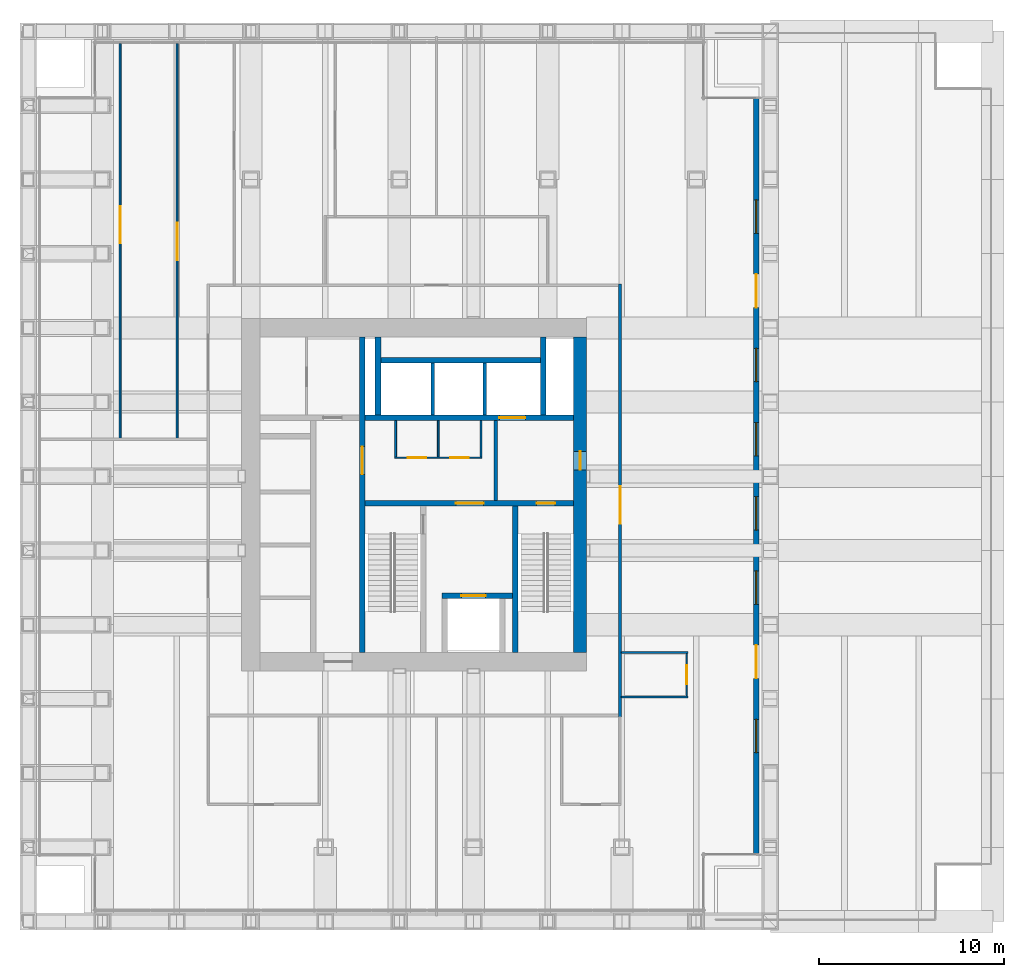
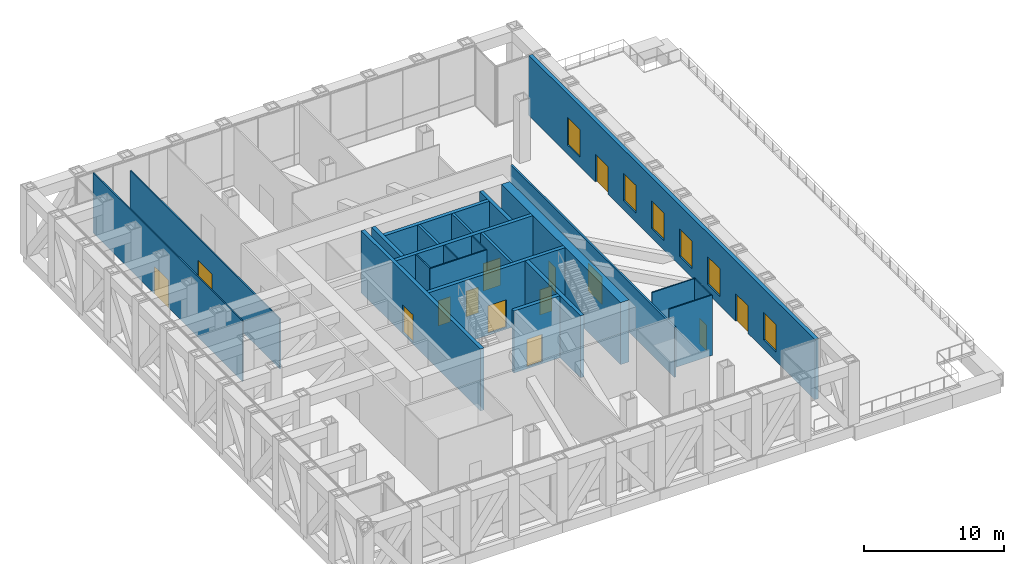
# One storey, part 11 of 13: 23 walls, 14 doors, 6 windows, 20 openings.
"""IFC4 building model written with IfcOpenShell, lengths in metres."""

from ifc_helpers import new_model, si_unit, direction, frame, frame_2d, origin, place, context, subcontext, project, spatial, rectangle, extrude, material, layer, layer_set, type_object, element, fill, save


model = new_model("IFC4")

# Units and contexts
model_context = context("Model", 3, precision=1e-05, world=origin(), true_north=direction((0.0, 1.0)))
body_context = subcontext(model_context, "Body", "Model", "MODEL_VIEW")
ifc_project = project(units=[si_unit("LENGTHUNIT", "METRE"), si_unit("AREAUNIT", "SQUARE_METRE"), si_unit("VOLUMEUNIT", "CUBIC_METRE"), si_unit("PLANEANGLEUNIT", "RADIAN"), si_unit("MASSUNIT", "GRAM", prefix="KILO")], contexts=[model_context])

# Site, building, storey
site_placement = place(None, origin())
site = spatial("IfcSite", under=ifc_project, at=site_placement, CompositionType="ELEMENT")
building_placement = place(site_placement, origin())
building = spatial("IfcBuilding", under=site, at=building_placement, Name="Rimbunsela Tower", CompositionType="ELEMENT")
storey_placement = place(building_placement, frame((0.0, 0.0, 137.39990234375)))
storey = spatial("IfcBuildingStorey", under=building, at=storey_placement, Name="L33", CompositionType="ELEMENT", Elevation=137.39990234375)

# Wall, opening, door
ifc_material_1 = material(Name="Concrete fc' 80 MPa", Category="concrete")
ifc_layer_1 = layer(ifc_material_1, 0.300048828125)
ifc_layer_set_1 = layer_set([ifc_layer_1], Name="Core internal wall 300")
wall_type_1 = type_object("IfcWallType", Name="Core internal wall 300", PredefinedType="SHEAR", material=ifc_layer_set_1)
wall_1_placement = place(storey_placement, frame((24.0, 18.5, -0.14990234375), z_axis=(0.0, 0.0, 1.0), x_axis=(0.0, 1.0, 0.0)))
wall_1 = element("IfcWall", 1, at=wall_1_placement, inside=storey, type_object=wall_type_1, Name="Core wall at stair A", PredefinedType="SHEAR", context=body_context, shape_type="SweptSolid", body=[
    extrude(rectangle(XDim=17.0, YDim=0.300048828125, at=frame_2d((8.5, 0.0))), origin(), (0.0, 0.0, 1.0), 5.39990234375),
])
opening_1_placement = place(wall_1_placement, frame((9.60009765625, 0.0, 0.14990234375)))
opening_1 = element("IfcOpeningElement", 2, at=opening_1_placement, cuts=wall_1, Name="Opening D03", PredefinedType="OPENING", context=body_context, shape_type="SweptSolid", body=[
    extrude(rectangle(XDim=1.5, YDim=2.39990234375, at=frame_2d((0.75, 1.199951171875))), frame((0.0, 0.159912109375, 0.0), z_axis=(0.0, -1.0, 0.0), x_axis=(1.0, 0.0, 0.0)), (0.0, 0.0, 1.0), 0.320068359375),
])
ifc_material_2 = material(Name="Steel door, fire rated", Category="steel")
door_type_1 = type_object("IfcDoorType", Name="Core lobby door 1500", OperationType="DOUBLE_DOOR_DOUBLE_SWING", PredefinedType="DOOR", material=ifc_material_2)
door_1_placement = place(opening_1_placement, origin())
door_1 = element("IfcDoor", 3, at=door_1_placement, inside=storey, type_object=door_type_1, Name="West lobby door", OperationType="DOUBLE_DOOR_DOUBLE_SWING", OverallHeight=2.39990234375, OverallWidth=1.5, PredefinedType="DOOR", context=body_context, shape_type="SweptSolid", body=[
    extrude(rectangle(XDim=1.5, YDim=2.39990234375, at=frame_2d((0.75, 1.199951171875))), frame((0.0, 0.02490234375, 0.0), z_axis=(0.0, -1.0, 0.0), x_axis=(1.0, 0.0, 0.0)), (0.0, 0.0, 1.0), 0.050048828125),
])
fill(opening_1, door_1)

# Wall, openings, doors
wall_2_placement = place(storey_placement, frame((24.14990234375, 26.550048828125, -0.14990234375), z_axis=(0.0, 0.0, 1.0), x_axis=(1.0, 0.0, 0.0)))
wall_2 = element("IfcWall", 4, at=wall_2_placement, inside=storey, type_object=wall_type_1, Name="Core wall lobby south", PredefinedType="SHEAR", context=body_context, shape_type="SweptSolid", body=[
    extrude(rectangle(XDim=11.25, YDim=0.300048828125, at=frame_2d((5.625, 0.0))), origin(), (0.0, 0.0, 1.0), 5.39990234375),
])
opening_2_placement = place(wall_2_placement, frame((9.25, 0.0, 0.14990234375)))
opening_2 = element("IfcOpeningElement", 5, at=opening_2_placement, cuts=wall_2, Name="Opening D01", PredefinedType="OPENING", context=body_context, shape_type="SweptSolid", body=[
    extrude(rectangle(XDim=1.0, YDim=2.199951171875, at=frame_2d((0.5, 1.10009765625))), frame((0.0, 0.159912109375, 0.0), z_axis=(0.0, -1.0, 0.0), x_axis=(1.0, 0.0, 0.0)), (0.0, 0.0, 1.0), 0.320068359375),
])
opening_3_placement = place(wall_2_placement, frame((4.89990234375, 0.0, 0.14990234375)))
opening_3 = element("IfcOpeningElement", 6, at=opening_3_placement, cuts=wall_2, Name="Opening D03", PredefinedType="OPENING", context=body_context, shape_type="SweptSolid", body=[
    extrude(rectangle(XDim=1.5, YDim=2.39990234375, at=frame_2d((0.75, 1.199951171875))), frame((0.0, 0.159912109375, 0.0), z_axis=(0.0, -1.0, 0.0), x_axis=(1.0, 0.0, 0.0)), (0.0, 0.0, 1.0), 0.320068359375),
])
door_2_placement = place(opening_3_placement, origin())
door_2 = element("IfcDoor", 7, at=door_2_placement, inside=storey, type_object=door_type_1, Name="Firefighting lobby door", OperationType="DOUBLE_DOOR_DOUBLE_SWING", OverallHeight=2.39990234375, OverallWidth=1.5, PredefinedType="DOOR", context=body_context, shape_type="SweptSolid", body=[
    extrude(rectangle(XDim=1.5, YDim=2.39990234375, at=frame_2d((0.75, 1.199951171875))), frame((0.0, 0.02490234375, 0.0), z_axis=(0.0, -1.0, 0.0), x_axis=(1.0, 0.0, 0.0)), (0.0, 0.0, 1.0), 0.050048828125),
])
fill(opening_3, door_2)
ifc_material_3 = material(Name="Steel door, fire rated", Category="steel")
door_type_2 = type_object("IfcDoorType", Name="Stair door 1000", OperationType="SINGLE_SWING_RIGHT", PredefinedType="DOOR", material=ifc_material_3)
door_3_placement = place(opening_2_placement, frame((1.0, 0.0, 0.0), z_axis=(0.0, 0.0, 1.0), x_axis=(-1.0, 0.0, 0.0)))
door_3 = element("IfcDoor", 8, at=door_3_placement, inside=storey, type_object=door_type_2, Name="Stair B door", OperationType="SINGLE_SWING_RIGHT", OverallHeight=2.199951171875, OverallWidth=1.0, PredefinedType="DOOR", context=body_context, shape_type="SweptSolid", body=[
    extrude(rectangle(XDim=1.0, YDim=2.199951171875, at=frame_2d((0.5, 1.10009765625))), frame((0.0, 0.02490234375, 0.0), z_axis=(0.0, -1.0, 0.0), x_axis=(1.0, 0.0, 0.0)), (0.0, 0.0, 1.0), 0.050048828125),
])
fill(opening_2, door_3)

# Wall
wall_3_placement = place(storey_placement, frame((32.25, 18.5, -0.14990234375), z_axis=(0.0, 0.0, 1.0), x_axis=(0.0, 1.0, 0.0)))
element("IfcWall", 9, at=wall_3_placement, inside=storey, type_object=wall_type_1, Name="Stair B enclosure", PredefinedType="SHEAR", context=body_context, shape_type="SweptSolid", body=[
    extrude(rectangle(XDim=7.89990234375, YDim=0.300048828125, at=frame_2d((3.949951171875, 0.0))), origin(), (0.0, 0.0, 1.0), 5.39990234375),
])

# Wall, opening, door
wall_4_placement = place(storey_placement, frame((28.300048828125, 21.550048828125, -0.14990234375), z_axis=(0.0, 0.0, 1.0), x_axis=(1.0, 0.0, 0.0)))
wall_4 = element("IfcWall", 10, at=wall_4_placement, inside=storey, type_object=wall_type_1, Name="Firefighting lift shaft front", PredefinedType="SHEAR", context=body_context, shape_type="SweptSolid", body=[
    extrude(rectangle(XDim=3.800048828125, YDim=0.300048828125, at=frame_2d((1.89990234375, 0.0))), origin(), (0.0, 0.0, 1.0), 5.39990234375),
])
opening_4_placement = place(wall_4_placement, frame((1.050048828125, 0.0, 0.14990234375)))
opening_4 = element("IfcOpeningElement", 11, at=opening_4_placement, cuts=wall_4, Name="Opening LD2", PredefinedType="OPENING", context=body_context, shape_type="SweptSolid", body=[
    extrude(rectangle(XDim=1.300048828125, YDim=2.39990234375, at=frame_2d((0.64990234375, 1.199951171875))), frame((0.0, 0.159912109375, 0.0), z_axis=(0.0, -1.0, 0.0), x_axis=(1.0, 0.0, 0.0)), (0.0, 0.0, 1.0), 0.320068359375),
])
ifc_material_4 = material(Name="Steel door, fire rated", Category="steel")
door_type_3 = type_object("IfcDoorType", Name="Lift landing door 1300", OperationType="DOUBLE_DOOR_SLIDING", PredefinedType="DOOR", material=ifc_material_4)
door_4_placement = place(opening_4_placement, origin())
door_4 = element("IfcDoor", 12, at=door_4_placement, inside=storey, type_object=door_type_3, Name="Lift landing door FL1", OperationType="DOUBLE_DOOR_SLIDING", OverallHeight=2.39990234375, OverallWidth=1.300048828125, PredefinedType="DOOR", context=body_context, shape_type="SweptSolid", body=[
    extrude(rectangle(XDim=1.300048828125, YDim=2.39990234375, at=frame_2d((0.64990234375, 1.199951171875))), frame((0.0, 0.02490234375, 0.0), z_axis=(0.0, -1.0, 0.0), x_axis=(1.0, 0.0, 0.0)), (0.0, 0.0, 1.0), 0.050048828125),
])
fill(opening_4, door_4)

wall_5_placement = place(storey_placement, frame((24.14990234375, 31.14990234375, -0.14990234375), z_axis=(0.0, 0.0, 1.0), x_axis=(1.0, 0.0, 0.0)))
wall_5 = element("IfcWall", 13, at=wall_5_placement, inside=storey, type_object=wall_type_1, Name="Lift shaft front north", PredefinedType="SHEAR", context=body_context, shape_type="SweptSolid", body=[
    extrude(rectangle(XDim=11.25, YDim=0.300048828125, at=frame_2d((5.625, 0.0))), origin(), (0.0, 0.0, 1.0), 5.39990234375),
])
opening_5_placement = place(wall_5_placement, frame((7.25, 0.0, 0.14990234375)))
opening_5 = element("IfcOpeningElement", 14, at=opening_5_placement, cuts=wall_5, Name="Opening LD3", PredefinedType="OPENING", context=body_context, shape_type="SweptSolid", body=[
    extrude(rectangle(XDim=1.39990234375, YDim=2.39990234375, at=frame_2d((0.699951171875, 1.199951171875))), frame((0.0, 0.159912109375, 0.0), z_axis=(0.0, -1.0, 0.0), x_axis=(1.0, 0.0, 0.0)), (0.0, 0.0, 1.0), 0.320068359375),
])
ifc_material_5 = material(Name="Steel door, fire rated", Category="steel")
door_type_4 = type_object("IfcDoorType", Name="Lift landing door 1400", OperationType="DOUBLE_DOOR_SLIDING", PredefinedType="DOOR", material=ifc_material_5)
door_5_placement = place(opening_5_placement, origin())
door_5 = element("IfcDoor", 15, at=door_5_placement, inside=storey, type_object=door_type_4, Name="Lift landing door FL2", OperationType="DOUBLE_DOOR_SLIDING", OverallHeight=2.39990234375, OverallWidth=1.39990234375, PredefinedType="DOOR", context=body_context, shape_type="SweptSolid", body=[
    extrude(rectangle(XDim=1.39990234375, YDim=2.39990234375, at=frame_2d((0.699951171875, 1.199951171875))), frame((0.0, 0.02490234375, 0.0), z_axis=(0.0, -1.0, 0.0), x_axis=(1.0, 0.0, 0.0)), (0.0, 0.0, 1.0), 0.050048828125),
])
fill(opening_5, door_5)

# Walls
for number, where, z_axis, x_axis, name in (
    (16, (24.85009765625, 31.300048828125, -0.14990234375), (0.0, 0.0, 1.0), (0.0, 1.0, 0.0), "Riser wall"),
    (17, (33.75, 31.300048828125, -0.14990234375), (0.0, 0.0, 1.0), (0.0, 1.0, 0.0), "Riser wall"),
):
    element("IfcWall", number, at=place(storey_placement, frame(where, z_axis=z_axis, x_axis=x_axis)), inside=storey, type_object=wall_type_1, Name=name, PredefinedType="SHEAR", context=body_context, shape_type="SweptSolid", body=[
        extrude(rectangle(XDim=4.199951171875, YDim=0.300048828125, at=frame_2d((2.10009765625, 0.0))), origin(), (0.0, 0.0, 1.0), 5.39990234375),
    ])
wall_6_placement = place(storey_placement, frame((25.0, 34.25, -0.14990234375), z_axis=(0.0, 0.0, 1.0), x_axis=(1.0, 0.0, 0.0)))
element("IfcWall", 18, at=wall_6_placement, inside=storey, type_object=wall_type_1, Name="Lift shaft rear north", PredefinedType="SHEAR", context=body_context, shape_type="SweptSolid", body=[
    extrude(rectangle(XDim=8.60009765625, YDim=0.300048828125, at=frame_2d((4.300048828125, 0.0))), origin(), (0.0, 0.0, 1.0), 5.39990234375),
])

# Wall, openings, doors
ifc_material_6 = material(Name="Concrete blockwork", Category="masonry")
ifc_layer_2 = layer(ifc_material_6, 0.10009765625)
ifc_layer_set_2 = layer_set([ifc_layer_2], Name="Core room partition 100")
wall_type_2 = type_object("IfcWallType", Name="Core room partition 100", PredefinedType="PARTITIONING", material=ifc_layer_set_2)
wall_7_placement = place(storey_placement, frame((25.75, 29.0, 0.0), z_axis=(0.0, 0.0, 1.0), x_axis=(1.0, 0.0, 0.0)))
wall_7 = element("IfcWall", 19, at=wall_7_placement, inside=storey, type_object=wall_type_2, Name="Lobby room wall", PredefinedType="PARTITIONING", context=body_context, shape_type="SweptSolid", body=[
    extrude(rectangle(XDim=4.699951171875, YDim=0.10009765625, at=frame_2d((2.35009765625, 0.0))), origin(), (0.0, 0.0, 1.0), 5.25),
])
opening_6_placement = place(wall_7_placement, frame((0.699951171875, 0.0, 0.0)))
opening_6 = element("IfcOpeningElement", 20, at=opening_6_placement, cuts=wall_7, Name="Opening D19", PredefinedType="OPENING", context=body_context, shape_type="SweptSolid", body=[
    extrude(rectangle(XDim=1.0, YDim=2.199951171875, at=frame_2d((0.5, 1.10009765625))), frame((0.0, 0.06005859375, 0.0), z_axis=(0.0, -1.0, 0.0), x_axis=(1.0, 0.0, 0.0)), (0.0, 0.0, 1.0), 0.1201171875),
])
opening_7_placement = place(wall_7_placement, frame((3.0, 0.0, 0.0)))
opening_7 = element("IfcOpeningElement", 21, at=opening_7_placement, cuts=wall_7, Name="Opening D19", PredefinedType="OPENING", context=body_context, shape_type="SweptSolid", body=[
    extrude(rectangle(XDim=1.0, YDim=2.199951171875, at=frame_2d((0.5, 1.10009765625))), frame((0.0, 0.06005859375, 0.0), z_axis=(0.0, -1.0, 0.0), x_axis=(1.0, 0.0, 0.0)), (0.0, 0.0, 1.0), 0.1201171875),
])
ifc_material_7 = material(Name="Steel door, fire rated", Category="steel")
door_type_5 = type_object("IfcDoorType", Name="Service door 1000 fire rated", OperationType="SINGLE_SWING_LEFT", PredefinedType="DOOR", material=ifc_material_7)
door_6_placement = place(opening_6_placement, origin())
door_6 = element("IfcDoor", 22, at=door_6_placement, inside=storey, type_object=door_type_5, Name="Staff WC door", OperationType="SINGLE_SWING_LEFT", OverallHeight=2.199951171875, OverallWidth=1.0, PredefinedType="DOOR", context=body_context, shape_type="SweptSolid", body=[
    extrude(rectangle(XDim=1.0, YDim=2.199951171875, at=frame_2d((0.5, 1.10009765625))), frame((0.0, 0.02490234375, 0.0), z_axis=(0.0, -1.0, 0.0), x_axis=(1.0, 0.0, 0.0)), (0.0, 0.0, 1.0), 0.050048828125),
])
fill(opening_6, door_6)
door_7_placement = place(opening_7_placement, origin())
door_7 = element("IfcDoor", 23, at=door_7_placement, inside=storey, type_object=door_type_5, Name="Cleaners store door", OperationType="SINGLE_SWING_LEFT", OverallHeight=2.199951171875, OverallWidth=1.0, PredefinedType="DOOR", context=body_context, shape_type="SweptSolid", body=[
    extrude(rectangle(XDim=1.0, YDim=2.199951171875, at=frame_2d((0.5, 1.10009765625))), frame((0.0, 0.02490234375, 0.0), z_axis=(0.0, -1.0, 0.0), x_axis=(1.0, 0.0, 0.0)), (0.0, 0.0, 1.0), 0.050048828125),
])
fill(opening_7, door_7)

# Walls
for number, where, z_axis, x_axis, name in (
    (24, (25.800048828125, 29.050048828125, 0.0), (0.0, 0.0, 1.0), (0.0, 1.0, 0.0), "Lobby room wall"),
    (25, (30.39990234375, 29.050048828125, 0.0), (0.0, 0.0, 1.0), (0.0, 1.0, 0.0), "Lobby room wall"),
    (26, (28.10009765625, 29.050048828125, 0.0), (0.0, 0.0, 1.0), (0.0, 1.0, 0.0), "Lobby room wall"),
):
    element("IfcWall", number, at=place(storey_placement, frame(where, z_axis=z_axis, x_axis=x_axis)), inside=storey, type_object=wall_type_2, Name=name, PredefinedType="PARTITIONING", context=body_context, shape_type="SweptSolid", body=[
        extrude(rectangle(XDim=1.949951171875, YDim=0.10009765625, at=frame_2d((0.97509765625, 0.0))), origin(), (0.0, 0.0, 1.0), 5.25),
    ])

# Wall, opening, door
ifc_material_8 = material(Name="Concrete fc' 80 MPa", Category="concrete")
ifc_layer_3 = layer(ifc_material_8, 0.699951171875)
ifc_layer_set_3 = layer_set([ifc_layer_3], Name="Core wall 700 east")
wall_type_3 = type_object("IfcWallType", Name="Core wall 700 east", PredefinedType="SHEAR", material=ifc_layer_set_3)
wall_8_placement = place(storey_placement, frame((35.75, 18.5, -0.14990234375), z_axis=(0.0, 0.0, 1.0), x_axis=(0.0, 1.0, 0.0)))
wall_8 = element("IfcWall", 27, at=wall_8_placement, inside=storey, type_object=wall_type_3, Name="Core wall east", PredefinedType="SHEAR", context=body_context, shape_type="SweptSolid", body=[
    extrude(rectangle(XDim=17.0, YDim=0.699951171875, at=frame_2d((8.5, 0.0))), origin(), (0.0, 0.0, 1.0), 5.39990234375),
])
opening_8_placement = place(wall_8_placement, frame((9.85009765625, 0.0, 0.14990234375)))
opening_8 = element("IfcOpeningElement", 28, at=opening_8_placement, cuts=wall_8, Name="Opening D01", PredefinedType="OPENING", context=body_context, shape_type="SweptSolid", body=[
    extrude(rectangle(XDim=1.0, YDim=2.199951171875, at=frame_2d((0.5, 1.10009765625))), frame((0.0, 0.35986328125, 0.0), z_axis=(0.0, -1.0, 0.0), x_axis=(1.0, 0.0, 0.0)), (0.0, 0.0, 1.0), 0.719970703125),
])
door_8_placement = place(opening_8_placement, origin())
door_8 = element("IfcDoor", 29, at=door_8_placement, inside=storey, type_object=door_type_2, Name="Firefighting lobby 2 door", OperationType="SINGLE_SWING_RIGHT", OverallHeight=2.199951171875, OverallWidth=1.0, PredefinedType="DOOR", context=body_context, shape_type="SweptSolid", body=[
    extrude(rectangle(XDim=1.0, YDim=2.199951171875, at=frame_2d((0.5, 1.10009765625))), frame((0.0, 0.02490234375, 0.0), z_axis=(0.0, -1.0, 0.0), x_axis=(1.0, 0.0, 0.0)), (0.0, 0.0, 1.0), 0.050048828125),
])
fill(opening_8, door_8)

# Walls
ifc_material_9 = material(Name="Concrete blockwork", Category="masonry")
ifc_layer_4 = layer(ifc_material_9, 0.199951171875)
ifc_layer_set_4 = layer_set([ifc_layer_4], Name="Lift shaft wall 200")
wall_type_4 = type_object("IfcWallType", Name="Lift shaft wall 200", PredefinedType="SOLIDWALL", material=ifc_layer_set_4)
for number, where, z_axis, x_axis, name in (
    (30, (27.800048828125, 31.300048828125, -0.14990234375), (0.0, 0.0, 1.0), (0.0, 1.0, 0.0), "Lift shaft separation"),
    (31, (30.60009765625, 31.300048828125, -0.14990234375), (0.0, 0.0, 1.0), (0.0, 1.0, 0.0), "Lift shaft separation"),
):
    element("IfcWall", number, at=place(storey_placement, frame(where, z_axis=z_axis, x_axis=x_axis)), inside=storey, type_object=wall_type_4, Name=name, PredefinedType="SOLIDWALL", context=body_context, shape_type="SweptSolid", body=[
        extrude(rectangle(XDim=2.800048828125, YDim=0.199951171875, at=frame_2d((1.39990234375, 0.0))), origin(), (0.0, 0.0, 1.0), 5.39990234375),
    ])
wall_9_placement = place(storey_placement, frame((31.199951171875, 26.699951171875, 0.0), z_axis=(0.0, 0.0, 1.0), x_axis=(0.0, 1.0, 0.0)))
element("IfcWall", 32, at=wall_9_placement, inside=storey, type_object=wall_type_4, Name="Firefighting lobby 2 wall", PredefinedType="SOLIDWALL", context=body_context, shape_type="SweptSolid", body=[
    extrude(rectangle(XDim=4.300048828125, YDim=0.199951171875, at=frame_2d((2.14990234375, 0.0))), origin(), (0.0, 0.0, 1.0), 5.25),
])
ifc_material_10 = material(Name="Gypsum board on steel studs", Category="steel")
ifc_layer_5 = layer(ifc_material_10, 0.10009765625)
ifc_layer_set_5 = layer_set([ifc_layer_5], Name="Office partition 100")
wall_type_5 = type_object("IfcWallType", Name="Office partition 100", PredefinedType="PARTITIONING", material=ifc_layer_set_5)
for number, where, z_axis, x_axis, name in (
    (33, (37.97509765625, 16.10009765625, 0.0), (0.0, 0.0, 1.0), (1.0, 0.0, 0.0), "Office partition"),
    (34, (37.97509765625, 18.5, 0.0), (0.0, 0.0, 1.0), (1.0, 0.0, 0.0), "Office partition"),
):
    element("IfcWall", number, at=place(storey_placement, frame(where, z_axis=z_axis, x_axis=x_axis)), inside=storey, type_object=wall_type_5, Name=name, PredefinedType="PARTITIONING", context=body_context, shape_type="SweptSolid", body=[
        extrude(rectangle(XDim=3.574951171875, YDim=0.10009765625, at=frame_2d((1.78759765625, 0.0))), origin(), (0.0, 0.0, 1.0), 5.25),
    ])

# Wall, opening, door
wall_10_placement = place(storey_placement, frame((41.5, 16.14990234375, 0.0), z_axis=(0.0, 0.0, 1.0), x_axis=(0.0, 1.0, 0.0)))
wall_10 = element("IfcWall", 35, at=wall_10_placement, inside=storey, type_object=wall_type_5, Name="Office partition", PredefinedType="PARTITIONING", context=body_context, shape_type="SweptSolid", body=[
    extrude(rectangle(XDim=2.300048828125, YDim=0.10009765625, at=frame_2d((1.14990234375, 0.0))), origin(), (0.0, 0.0, 1.0), 5.25),
])
opening_9_placement = place(wall_10_placement, frame((0.64990234375, 0.0, 0.0)))
opening_9 = element("IfcOpeningElement", 36, at=opening_9_placement, cuts=wall_10, Name="Opening D16", PredefinedType="OPENING", context=body_context, shape_type="SweptSolid", body=[
    extrude(rectangle(XDim=1.0, YDim=2.199951171875, at=frame_2d((0.5, 1.10009765625))), frame((0.0, 0.06005859375, 0.0), z_axis=(0.0, -1.0, 0.0), x_axis=(1.0, 0.0, 0.0)), (0.0, 0.0, 1.0), 0.1201171875),
])
ifc_material_11 = material(Name="Timber door", Category="wood")
door_type_6 = type_object("IfcDoorType", Name="Office door 1000", OperationType="SINGLE_SWING_LEFT", PredefinedType="DOOR", material=ifc_material_11)
door_9_placement = place(opening_9_placement, origin())
door_9 = element("IfcDoor", 37, at=door_9_placement, inside=storey, type_object=door_type_6, Name="Office door", OperationType="SINGLE_SWING_LEFT", OverallHeight=2.199951171875, OverallWidth=1.0, PredefinedType="DOOR", context=body_context, shape_type="SweptSolid", body=[
    extrude(rectangle(XDim=1.0, YDim=2.199951171875, at=frame_2d((0.5, 1.10009765625))), frame((0.0, 0.02490234375, 0.0), z_axis=(0.0, -1.0, 0.0), x_axis=(1.0, 0.0, 0.0)), (0.0, 0.0, 1.0), 0.050048828125),
])
fill(opening_9, door_9)

wall_11_placement = place(storey_placement, frame((10.949951171875, 51.320068359375, 0.0), z_axis=(0.0, 0.0, 1.0), x_axis=(0.0, -1.0, 0.0)))
wall_11 = element("IfcWall", 38, at=wall_11_placement, inside=storey, type_object=wall_type_5, Name="Plant room partition", PredefinedType="PARTITIONING", context=body_context, shape_type="SweptSolid", body=[
    extrude(rectangle(XDim=21.319091796875, YDim=0.10009765625, at=frame_2d((10.65966796875, 0.0))), origin(), (0.0, 0.0, 1.0), 5.25),
])
opening_10_placement = place(wall_11_placement, frame((8.759521484375, 0.0, 0.0)))
opening_10 = element("IfcOpeningElement", 39, at=opening_10_placement, cuts=wall_11, Name="Opening D08", PredefinedType="OPENING", context=body_context, shape_type="SweptSolid", body=[
    extrude(rectangle(XDim=2.0, YDim=2.39990234375, at=frame_2d((1.0, 1.199951171875))), frame((0.0, 0.06005859375, 0.0), z_axis=(0.0, -1.0, 0.0), x_axis=(1.0, 0.0, 0.0)), (0.0, 0.0, 1.0), 0.1201171875),
])
ifc_material_12 = material(Name="Steel door, fire rated", Category="steel")
door_type_7 = type_object("IfcDoorType", Name="Plant room door 2000", OperationType="DOUBLE_DOOR_DOUBLE_SWING", PredefinedType="DOOR", material=ifc_material_12)
door_10_placement = place(opening_10_placement, origin())
door_10 = element("IfcDoor", 40, at=door_10_placement, inside=storey, type_object=door_type_7, Name="Plant room door", OperationType="DOUBLE_DOOR_DOUBLE_SWING", OverallHeight=2.39990234375, OverallWidth=2.0, PredefinedType="DOOR", context=body_context, shape_type="SweptSolid", body=[
    extrude(rectangle(XDim=2.0, YDim=2.39990234375, at=frame_2d((1.0, 1.199951171875))), frame((0.0, 0.02490234375, 0.0), z_axis=(0.0, -1.0, 0.0), x_axis=(1.0, 0.0, 0.0)), (0.0, 0.0, 1.0), 0.050048828125),
])
fill(opening_10, door_10)

wall_12_placement = place(storey_placement, frame((14.02392578125, 51.320068359375, 0.0), z_axis=(0.0, 0.0, 1.0), x_axis=(0.0, -1.0, 0.0)))
wall_12 = element("IfcWall", 41, at=wall_12_placement, inside=storey, type_object=wall_type_5, Name="Plant room partition", PredefinedType="PARTITIONING", context=body_context, shape_type="SweptSolid", body=[
    extrude(rectangle(XDim=21.319091796875, YDim=0.10009765625, at=frame_2d((10.65966796875, 0.0))), origin(), (0.0, 0.0, 1.0), 4.35009765625),
])
opening_11_placement = place(wall_12_placement, frame((9.659423828125, 0.0, 0.0)))
opening_11 = element("IfcOpeningElement", 42, at=opening_11_placement, cuts=wall_12, Name="Opening D08", PredefinedType="OPENING", context=body_context, shape_type="SweptSolid", body=[
    extrude(rectangle(XDim=2.0, YDim=2.39990234375, at=frame_2d((1.0, 1.199951171875))), frame((0.0, 0.06005859375, 0.0), z_axis=(0.0, -1.0, 0.0), x_axis=(1.0, 0.0, 0.0)), (0.0, 0.0, 1.0), 0.1201171875),
])
door_11_placement = place(opening_11_placement, origin())
door_11 = element("IfcDoor", 43, at=door_11_placement, inside=storey, type_object=door_type_7, Name="Plant room door", OperationType="DOUBLE_DOOR_DOUBLE_SWING", OverallHeight=2.39990234375, OverallWidth=2.0, PredefinedType="DOOR", context=body_context, shape_type="SweptSolid", body=[
    extrude(rectangle(XDim=2.0, YDim=2.39990234375, at=frame_2d((1.0, 1.199951171875))), frame((0.0, 0.02490234375, 0.0), z_axis=(0.0, -1.0, 0.0), x_axis=(1.0, 0.0, 0.0)), (0.0, 0.0, 1.0), 0.050048828125),
])
fill(opening_11, door_11)

ifc_material_13 = material(Name="Fire-rated gypsum board on steel studs, EI 60", Category="steel")
ifc_layer_6 = layer(ifc_material_13, 0.14990234375)
ifc_layer_set_6 = layer_set([ifc_layer_6], Name="Rated corridor wall 150")
wall_type_6 = type_object("IfcWallType", Name="Rated corridor wall 150", PredefinedType="PARTITIONING", material=ifc_layer_set_6)
wall_13_placement = place(storey_placement, frame((37.89990234375, 15.02490234375, 0.0), z_axis=(0.0, 0.0, 1.0), x_axis=(0.0, 1.0, 0.0)))
wall_13 = element("IfcWall", 44, at=wall_13_placement, inside=storey, type_object=wall_type_6, Name="Corridor wall east", PredefinedType="PARTITIONING", context=body_context, shape_type="SweptSolid", body=[
    extrude(rectangle(XDim=23.35009765625, YDim=0.14990234375, at=frame_2d((11.675048828125, 0.0))), origin(), (0.0, 0.0, 1.0), 4.35009765625),
])
opening_12_placement = place(wall_13_placement, frame((10.425048828125, 0.0, 0.0)))
opening_12 = element("IfcOpeningElement", 45, at=opening_12_placement, cuts=wall_13, Name="Opening D08", PredefinedType="OPENING", context=body_context, shape_type="SweptSolid", body=[
    extrude(rectangle(XDim=2.0, YDim=2.39990234375, at=frame_2d((1.0, 1.199951171875))), frame((0.0, 0.0849609375, 0.0), z_axis=(0.0, -1.0, 0.0), x_axis=(1.0, 0.0, 0.0)), (0.0, 0.0, 1.0), 0.169921875),
])
door_12_placement = place(opening_12_placement, origin())
door_12 = element("IfcDoor", 46, at=door_12_placement, inside=storey, type_object=door_type_7, Name="Refuge area door", OperationType="DOUBLE_DOOR_DOUBLE_SWING", OverallHeight=2.39990234375, OverallWidth=2.0, PredefinedType="DOOR", context=body_context, shape_type="SweptSolid", body=[
    extrude(rectangle(XDim=2.0, YDim=2.39990234375, at=frame_2d((1.0, 1.199951171875))), frame((0.0, 0.02490234375, 0.0), z_axis=(0.0, -1.0, 0.0), x_axis=(1.0, 0.0, 0.0)), (0.0, 0.0, 1.0), 0.050048828125),
])
fill(opening_12, door_12)

# Wall, openings, doors, windows
ifc_material_14 = material(Name="Precast concrete fc' 35 MPa", Category="concrete")
ifc_layer_7 = layer(ifc_material_14, 0.300048828125)
ifc_layer_set_7 = layer_set([ifc_layer_7], Name="Terrace wall 300")
wall_type_7 = type_object("IfcWallType", Name="Terrace wall 300", PredefinedType="ELEMENTEDWALL", material=ifc_layer_set_7)
wall_14_placement = place(storey_placement, frame((45.25, 7.60009765625, 0.0), z_axis=(0.0, 0.0, 1.0), x_axis=(0.0, 1.0, 0.0)))
wall_14 = element("IfcWall", 47, at=wall_14_placement, inside=storey, type_object=wall_type_7, Name="Terrace wall E L33", PredefinedType="ELEMENTEDWALL", context=body_context, shape_type="SweptSolid", body=[
    extrude(rectangle(XDim=40.7998046875, YDim=0.300048828125, at=frame_2d((20.39990234375, 0.0))), origin(), (0.0, 0.0, 1.0), 5.25),
])
opening_13_placement = place(wall_14_placement, frame((5.5, 0.0, 0.800048828125)))
opening_13 = element("IfcOpeningElement", 48, at=opening_13_placement, cuts=wall_14, Name="Opening W3", PredefinedType="OPENING", context=body_context, shape_type="SweptSolid", body=[
    extrude(rectangle(XDim=1.800048828125, YDim=2.39990234375, at=frame_2d((0.89990234375, 1.199951171875))), frame((0.0, 0.159912109375, 0.0), z_axis=(0.0, -1.0, 0.0), x_axis=(1.0, 0.0, 0.0)), (0.0, 0.0, 1.0), 0.320068359375),
])
opening_14_placement = place(wall_14_placement, frame((9.5, 0.0, 0.0)))
opening_14 = element("IfcOpeningElement", 49, at=opening_14_placement, cuts=wall_14, Name="Opening TD1", PredefinedType="OPENING", context=body_context, shape_type="SweptSolid", body=[
    extrude(rectangle(XDim=1.800048828125, YDim=2.39990234375, at=frame_2d((0.89990234375, 1.199951171875))), frame((0.0, 0.159912109375, 0.0), z_axis=(0.0, -1.0, 0.0), x_axis=(1.0, 0.0, 0.0)), (0.0, 0.0, 1.0), 0.320068359375),
])
opening_15_placement = place(wall_14_placement, frame((13.5, 0.0, 0.800048828125)))
opening_15 = element("IfcOpeningElement", 50, at=opening_15_placement, cuts=wall_14, Name="Opening W3", PredefinedType="OPENING", context=body_context, shape_type="SweptSolid", body=[
    extrude(rectangle(XDim=1.800048828125, YDim=2.39990234375, at=frame_2d((0.89990234375, 1.199951171875))), frame((0.0, 0.159912109375, 0.0), z_axis=(0.0, -1.0, 0.0), x_axis=(1.0, 0.0, 0.0)), (0.0, 0.0, 1.0), 0.320068359375),
])
opening_16_placement = place(wall_14_placement, frame((17.5, 0.0, 0.800048828125)))
opening_16 = element("IfcOpeningElement", 51, at=opening_16_placement, cuts=wall_14, Name="Opening W3", PredefinedType="OPENING", context=body_context, shape_type="SweptSolid", body=[
    extrude(rectangle(XDim=1.800048828125, YDim=2.39990234375, at=frame_2d((0.89990234375, 1.199951171875))), frame((0.0, 0.159912109375, 0.0), z_axis=(0.0, -1.0, 0.0), x_axis=(1.0, 0.0, 0.0)), (0.0, 0.0, 1.0), 0.320068359375),
])
opening_17_placement = place(wall_14_placement, frame((21.5, 0.0, 0.800048828125)))
opening_17 = element("IfcOpeningElement", 52, at=opening_17_placement, cuts=wall_14, Name="Opening W3", PredefinedType="OPENING", context=body_context, shape_type="SweptSolid", body=[
    extrude(rectangle(XDim=1.800048828125, YDim=2.39990234375, at=frame_2d((0.89990234375, 1.199951171875))), frame((0.0, 0.159912109375, 0.0), z_axis=(0.0, -1.0, 0.0), x_axis=(1.0, 0.0, 0.0)), (0.0, 0.0, 1.0), 0.320068359375),
])
opening_18_placement = place(wall_14_placement, frame((25.5, 0.0, 0.800048828125)))
opening_18 = element("IfcOpeningElement", 53, at=opening_18_placement, cuts=wall_14, Name="Opening W3", PredefinedType="OPENING", context=body_context, shape_type="SweptSolid", body=[
    extrude(rectangle(XDim=1.800048828125, YDim=2.39990234375, at=frame_2d((0.89990234375, 1.199951171875))), frame((0.0, 0.159912109375, 0.0), z_axis=(0.0, -1.0, 0.0), x_axis=(1.0, 0.0, 0.0)), (0.0, 0.0, 1.0), 0.320068359375),
])
opening_19_placement = place(wall_14_placement, frame((29.5, 0.0, 0.0)))
opening_19 = element("IfcOpeningElement", 54, at=opening_19_placement, cuts=wall_14, Name="Opening TD1", PredefinedType="OPENING", context=body_context, shape_type="SweptSolid", body=[
    extrude(rectangle(XDim=1.800048828125, YDim=2.39990234375, at=frame_2d((0.89990234375, 1.199951171875))), frame((0.0, 0.159912109375, 0.0), z_axis=(0.0, -1.0, 0.0), x_axis=(1.0, 0.0, 0.0)), (0.0, 0.0, 1.0), 0.320068359375),
])
opening_20_placement = place(wall_14_placement, frame((33.5, 0.0, 0.800048828125)))
opening_20 = element("IfcOpeningElement", 55, at=opening_20_placement, cuts=wall_14, Name="Opening W3", PredefinedType="OPENING", context=body_context, shape_type="SweptSolid", body=[
    extrude(rectangle(XDim=1.800048828125, YDim=2.39990234375, at=frame_2d((0.89990234375, 1.199951171875))), frame((0.0, 0.159912109375, 0.0), z_axis=(0.0, -1.0, 0.0), x_axis=(1.0, 0.0, 0.0)), (0.0, 0.0, 1.0), 0.320068359375),
])
ifc_material_15 = material(Name="Glazed aluminium door", Category="aluminium")
door_type_8 = type_object("IfcDoorType", Name="Terrace door 1800", OperationType="DOUBLE_DOOR_SLIDING", PredefinedType="DOOR", material=ifc_material_15)
door_13_placement = place(opening_14_placement, origin())
door_13 = element("IfcDoor", 56, at=door_13_placement, inside=storey, type_object=door_type_8, Name="Terrace door", OperationType="DOUBLE_DOOR_SLIDING", OverallHeight=2.39990234375, OverallWidth=1.800048828125, PredefinedType="DOOR", context=body_context, shape_type="SweptSolid", body=[
    extrude(rectangle(XDim=1.800048828125, YDim=2.39990234375, at=frame_2d((0.89990234375, 1.199951171875))), frame((0.0, 0.02490234375, 0.0), z_axis=(0.0, -1.0, 0.0), x_axis=(1.0, 0.0, 0.0)), (0.0, 0.0, 1.0), 0.050048828125),
])
fill(opening_14, door_13)
door_14_placement = place(opening_19_placement, origin())
door_14 = element("IfcDoor", 57, at=door_14_placement, inside=storey, type_object=door_type_8, Name="Terrace door", OperationType="DOUBLE_DOOR_SLIDING", OverallHeight=2.39990234375, OverallWidth=1.800048828125, PredefinedType="DOOR", context=body_context, shape_type="SweptSolid", body=[
    extrude(rectangle(XDim=1.800048828125, YDim=2.39990234375, at=frame_2d((0.89990234375, 1.199951171875))), frame((0.0, 0.02490234375, 0.0), z_axis=(0.0, -1.0, 0.0), x_axis=(1.0, 0.0, 0.0)), (0.0, 0.0, 1.0), 0.050048828125),
])
fill(opening_19, door_14)
ifc_material_16 = material(Name="Clear glass in aluminium frame", Category="aluminium")
window_type = type_object("IfcWindowType", Name="Window W3 1800x2400", PartitioningType="SINGLE_PANEL", PredefinedType="WINDOW", material=ifc_material_16)
window_1_placement = place(opening_13_placement, origin())
window_1 = element("IfcWindow", 58, at=window_1_placement, inside=storey, type_object=window_type, Name="Window L33", OverallHeight=2.39990234375, OverallWidth=1.800048828125, PartitioningType="SINGLE_PANEL", PredefinedType="WINDOW", context=body_context, shape_type="SweptSolid", body=[
    extrude(rectangle(XDim=1.800048828125, YDim=2.39990234375, at=frame_2d((0.89990234375, 1.199951171875))), frame((0.0, 0.030029296875, 0.0), z_axis=(0.0, -1.0, 0.0), x_axis=(1.0, 0.0, 0.0)), (0.0, 0.0, 1.0), 0.06005859375),
])
fill(opening_13, window_1)
window_2_placement = place(opening_15_placement, origin())
window_2 = element("IfcWindow", 59, at=window_2_placement, inside=storey, type_object=window_type, Name="Window L33", OverallHeight=2.39990234375, OverallWidth=1.800048828125, PartitioningType="SINGLE_PANEL", PredefinedType="WINDOW", context=body_context, shape_type="SweptSolid", body=[
    extrude(rectangle(XDim=1.800048828125, YDim=2.39990234375, at=frame_2d((0.89990234375, 1.199951171875))), frame((0.0, 0.030029296875, 0.0), z_axis=(0.0, -1.0, 0.0), x_axis=(1.0, 0.0, 0.0)), (0.0, 0.0, 1.0), 0.06005859375),
])
fill(opening_15, window_2)
window_3_placement = place(opening_16_placement, origin())
window_3 = element("IfcWindow", 60, at=window_3_placement, inside=storey, type_object=window_type, Name="Window L33", OverallHeight=2.39990234375, OverallWidth=1.800048828125, PartitioningType="SINGLE_PANEL", PredefinedType="WINDOW", context=body_context, shape_type="SweptSolid", body=[
    extrude(rectangle(XDim=1.800048828125, YDim=2.39990234375, at=frame_2d((0.89990234375, 1.199951171875))), frame((0.0, 0.030029296875, 0.0), z_axis=(0.0, -1.0, 0.0), x_axis=(1.0, 0.0, 0.0)), (0.0, 0.0, 1.0), 0.06005859375),
])
fill(opening_16, window_3)
window_4_placement = place(opening_17_placement, origin())
window_4 = element("IfcWindow", 61, at=window_4_placement, inside=storey, type_object=window_type, Name="Window L33", OverallHeight=2.39990234375, OverallWidth=1.800048828125, PartitioningType="SINGLE_PANEL", PredefinedType="WINDOW", context=body_context, shape_type="SweptSolid", body=[
    extrude(rectangle(XDim=1.800048828125, YDim=2.39990234375, at=frame_2d((0.89990234375, 1.199951171875))), frame((0.0, 0.030029296875, 0.0), z_axis=(0.0, -1.0, 0.0), x_axis=(1.0, 0.0, 0.0)), (0.0, 0.0, 1.0), 0.06005859375),
])
fill(opening_17, window_4)
window_5_placement = place(opening_18_placement, origin())
window_5 = element("IfcWindow", 62, at=window_5_placement, inside=storey, type_object=window_type, Name="Window L33", OverallHeight=2.39990234375, OverallWidth=1.800048828125, PartitioningType="SINGLE_PANEL", PredefinedType="WINDOW", context=body_context, shape_type="SweptSolid", body=[
    extrude(rectangle(XDim=1.800048828125, YDim=2.39990234375, at=frame_2d((0.89990234375, 1.199951171875))), frame((0.0, 0.030029296875, 0.0), z_axis=(0.0, -1.0, 0.0), x_axis=(1.0, 0.0, 0.0)), (0.0, 0.0, 1.0), 0.06005859375),
])
fill(opening_18, window_5)
window_6_placement = place(opening_20_placement, origin())
window_6 = element("IfcWindow", 63, at=window_6_placement, inside=storey, type_object=window_type, Name="Window L33", OverallHeight=2.39990234375, OverallWidth=1.800048828125, PartitioningType="SINGLE_PANEL", PredefinedType="WINDOW", context=body_context, shape_type="SweptSolid", body=[
    extrude(rectangle(XDim=1.800048828125, YDim=2.39990234375, at=frame_2d((0.89990234375, 1.199951171875))), frame((0.0, 0.030029296875, 0.0), z_axis=(0.0, -1.0, 0.0), x_axis=(1.0, 0.0, 0.0)), (0.0, 0.0, 1.0), 0.06005859375),
])
fill(opening_20, window_6)

save(model, "model.ifc")
